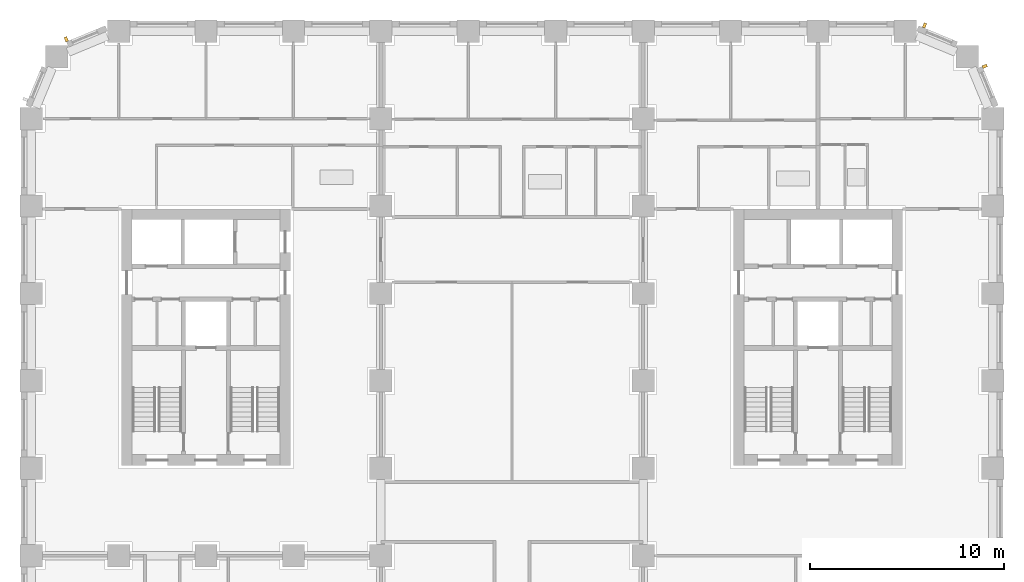
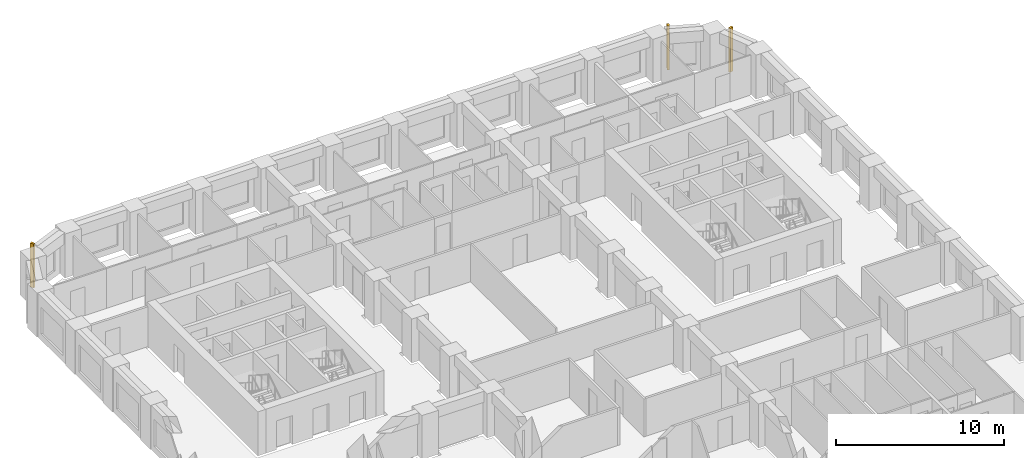
# One storey, part 12 of 13: 3 shading devices.
"""IFC4 building model written with IfcOpenShell, lengths in metres."""

from ifc_helpers import new_model, si_unit, direction, frame, origin, origin_2d, place, context, subcontext, project, spatial, rectangle, extrude, material, type_object, element, save


model = new_model("IFC4")

# Units and contexts
model_context = context("Model", 3, precision=1e-05, world=origin(), true_north=direction((0.0, 1.0)))
body_context = subcontext(model_context, "Body", "Model", "MODEL_VIEW")
ifc_project = project(units=[si_unit("LENGTHUNIT", "METRE"), si_unit("AREAUNIT", "SQUARE_METRE"), si_unit("VOLUMEUNIT", "CUBIC_METRE"), si_unit("PLANEANGLEUNIT", "RADIAN"), si_unit("MASSUNIT", "GRAM", prefix="KILO")], contexts=[model_context])

# Site, building, storey
site_placement = place(None, origin())
site = spatial("IfcSite", under=ifc_project, at=site_placement, CompositionType="ELEMENT")
building_placement = place(site_placement, origin())
building = spatial("IfcBuilding", under=site, at=building_placement, Name="Girih Gate Residences", CompositionType="ELEMENT")
storey_placement = place(building_placement, frame((0.0, 0.0, 80.0)))
storey = spatial("IfcBuildingStorey", under=building, at=storey_placement, Name="L21", CompositionType="ELEMENT", Elevation=80.0)

# Shading devices
ifc_material = material(Name="Precast concrete C50/60", Category="concrete")
shading_device_type = type_object("IfcShadingDeviceType", Name="Corner rib 150x250", PredefinedType="USERDEFINED", material=ifc_material)
for number, where, z_axis, x_axis, name in (
    (1, (49.087646484375, 47.6943359375, 0.0), (0.0, 0.0, 1.0), (-0.382683432365, 0.923879532511, 0.0), "Corner rib NE0495_0450.0"),
    (2, (45.985107421875, 49.79541015625, 0.0), (0.0, 0.0, 1.0), (-0.923879532511, 0.382683432365, 0.0), "Corner rib NE0482_0482.0"),
    (3, (1.8056640625, 49.087646484375, 0.0), (0.0, 0.0, 1.0), (-0.923879532511, -0.382683432365, 0.0), "Corner rib NW0045_0495.0"),
):
    element("IfcShadingDevice", number, at=place(storey_placement, frame(where, z_axis=z_axis, x_axis=x_axis)), inside=storey, type_object=shading_device_type, Name=name, ObjectType="FIN", PredefinedType="USERDEFINED", context=body_context, shape_type="SweptSolid", body=[
        extrude(rectangle(XDim=0.14990234375, YDim=0.25, at=origin_2d()), origin(), (0.0, 0.0, 1.0), 3.199951171875),
    ])

save(model, "model.ifc")
